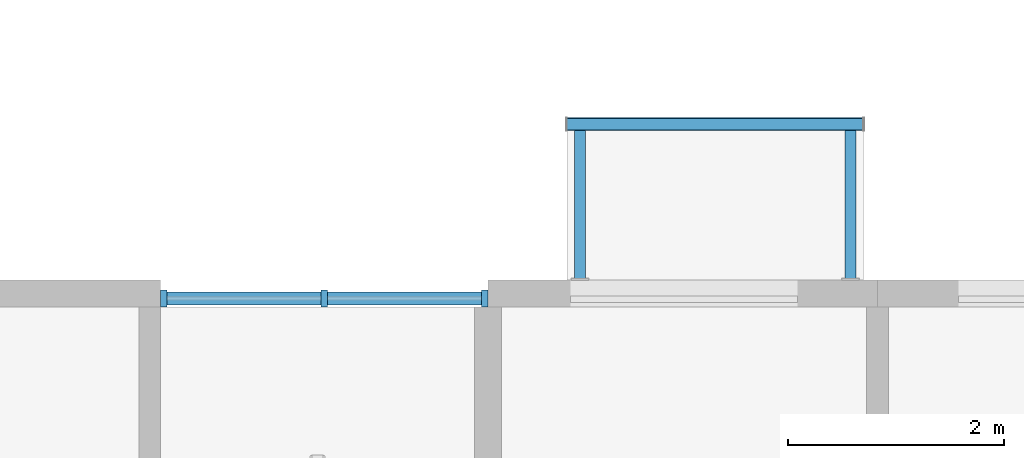
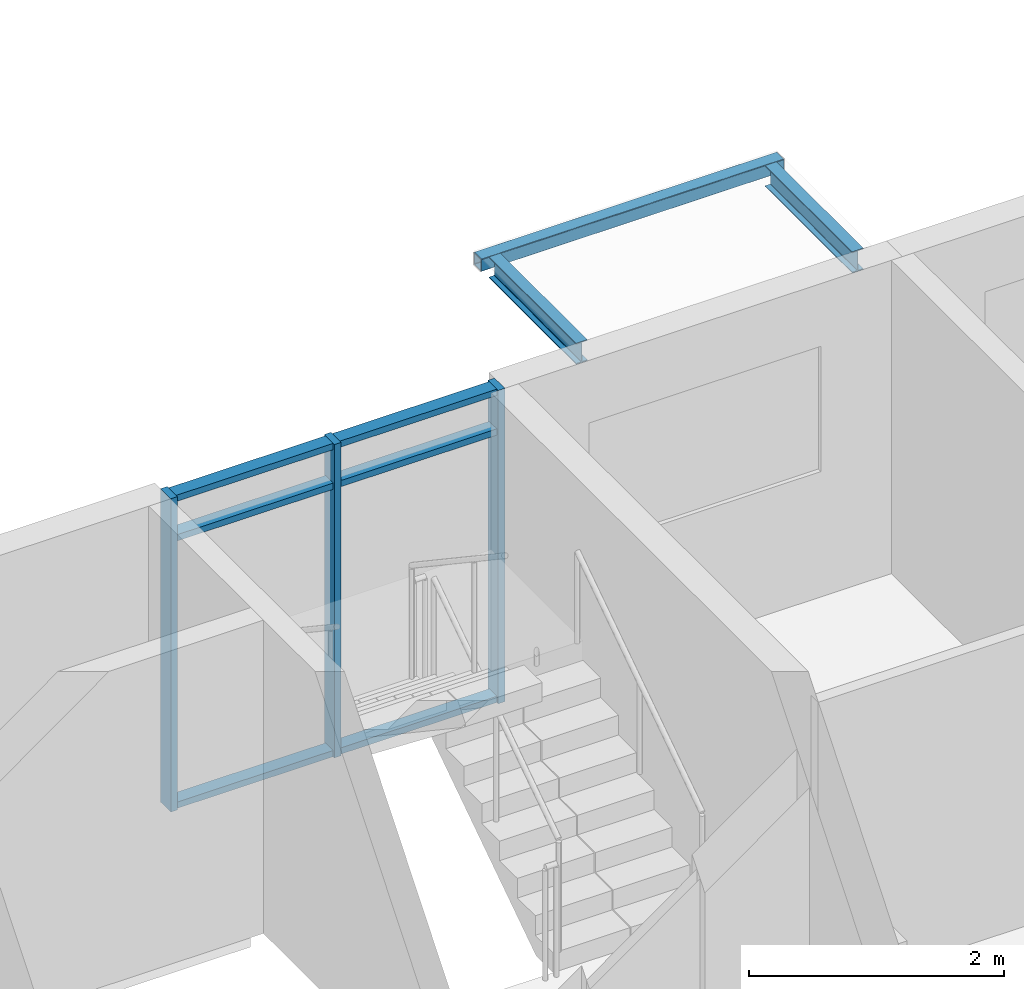
# One storey, part 12 of 94: 9 members, 3 beams, 1 element without a shape of its own.
"""IFC4 building model written with IfcOpenShell, lengths in metres."""

from ifc_helpers import new_model, si_unit, direction, frame, origin, origin_2d, place, context, subcontext, project, spatial, rectangle, hollow_rectangle, i_section, extrude, material, material_profile, profile_set, type_object, element, aggregate, save


model = new_model("IFC4")

# Units and contexts
model_context = context("Model", 3, precision=1e-05, world=origin(), true_north=direction((0.0, 1.0)))
body_context = subcontext(model_context, "Body", "Model", "MODEL_VIEW")
ifc_project = project(units=[si_unit("LENGTHUNIT", "METRE"), si_unit("AREAUNIT", "SQUARE_METRE"), si_unit("VOLUMEUNIT", "CUBIC_METRE"), si_unit("PLANEANGLEUNIT", "RADIAN"), si_unit("MASSUNIT", "GRAM", prefix="KILO")], contexts=[model_context])

# Site, building, storey
site_placement = place(None, origin())
site = spatial("IfcSite", under=ifc_project, at=site_placement, CompositionType="ELEMENT")
building_placement = place(site_placement, origin())
building = spatial("IfcBuilding", under=site, at=building_placement, Name="Ridgestep Commons", CompositionType="ELEMENT")
storey_placement = place(building_placement, frame((0.0, 0.0, 24.0)))
storey = spatial("IfcBuildingStorey", under=building, at=storey_placement, Name="L08", CompositionType="ELEMENT", Elevation=24.0)

# Curtain wall, members
ifc_material_1 = material(Name="Aluminium 6063-T6 and glass", Category="aluminium")
curtain_wall_type = type_object("IfcCurtainWallType", Name="Curtain wall stair strip", PredefinedType="NOTDEFINED", material=ifc_material_1)
curtain_wall_placement = place(storey_placement, origin())
curtain_wall = element("IfcCurtainWall", 1, at=curtain_wall_placement, inside=storey, type_object=curtain_wall_type, Name="Curtain wall B2C level 08", PredefinedType="NOTDEFINED")
ifc_material_2 = material(Name="Aluminium 6063-T6", Category="aluminium")
ifc_material_profile_1 = material_profile(ifc_material_2, rectangle(XDim=0.159912109375, YDim=0.06005859375, at=origin_2d()), Name="Mullion 60 x 160")
ifc_profile_set_1 = profile_set([ifc_material_profile_1], Name="Aluminium 6063-T6")
member_type_1 = type_object("IfcMemberType", Name="Mullion 60 x 160", PredefinedType="MULLION", material=ifc_profile_set_1)
member_1_placement = place(storey_placement, frame((31.804931640625, 77.080078125, 0.0), z_axis=(0.0, 0.0, 1.0), x_axis=(0.0, 1.0, 0.0)))
member_1 = element("IfcMember", 2, at=member_1_placement, type_object=member_type_1, Name="CW1 mullion 1", PredefinedType="MULLION", context=body_context, shape_type="SweptSolid", body=[
    extrude(rectangle(XDim=0.159912109375, YDim=0.06005859375, at=origin_2d()), origin(), (0.0, 0.0, 1.0), 3.0),
])
member_2_placement = place(storey_placement, frame((33.28759765625, 77.080078125, 0.0), z_axis=(0.0, 0.0, 1.0), x_axis=(0.0, 1.0, 0.0)))
member_2 = element("IfcMember", 3, at=member_2_placement, type_object=member_type_1, Name="CW1 mullion 2", PredefinedType="MULLION", context=body_context, shape_type="SweptSolid", body=[
    extrude(rectangle(XDim=0.159912109375, YDim=0.06005859375, at=origin_2d()), origin(), (0.0, 0.0, 1.0), 3.0),
])
member_3_placement = place(storey_placement, frame((34.77001953125, 77.080078125, 0.0), z_axis=(0.0, 0.0, 1.0), x_axis=(0.0, 1.0, 0.0)))
member_3 = element("IfcMember", 4, at=member_3_placement, type_object=member_type_1, Name="CW1 mullion 3", PredefinedType="MULLION", context=body_context, shape_type="SweptSolid", body=[
    extrude(rectangle(XDim=0.159912109375, YDim=0.06005859375, at=origin_2d()), origin(), (0.0, 0.0, 1.0), 3.0),
])
ifc_material_3 = material(Name="Aluminium 6063-T6", Category="aluminium")
ifc_material_profile_2 = material_profile(ifc_material_3, rectangle(XDim=0.1201171875, YDim=0.06005859375, at=origin_2d()), Name="Transom 60 x 120")
ifc_profile_set_2 = profile_set([ifc_material_profile_2], Name="Aluminium 6063-T6")
member_type_2 = type_object("IfcMemberType", Name="Transom 60 x 120", PredefinedType="USERDEFINED", material=ifc_profile_set_2)
member_4_placement = place(storey_placement, frame((31.8349609375, 77.080078125, 0.030029296875), z_axis=(1.0, 0.0, 0.0), x_axis=(0.0, 1.0, 0.0)))
member_4 = element("IfcMember", 5, at=member_4_placement, type_object=member_type_2, Name="CW1 transom 1.1", ObjectType="TRANSOM", PredefinedType="USERDEFINED", context=body_context, shape_type="SweptSolid", body=[
    extrude(rectangle(XDim=0.1201171875, YDim=0.06005859375, at=origin_2d()), origin(), (0.0, 0.0, 1.0), 1.422607421875),
])
member_5_placement = place(storey_placement, frame((31.8349609375, 77.080078125, 2.590087890625), z_axis=(1.0, 0.0, 0.0), x_axis=(0.0, 1.0, 0.0)))
member_5 = element("IfcMember", 6, at=member_5_placement, type_object=member_type_2, Name="CW1 transom 1.2", ObjectType="TRANSOM", PredefinedType="USERDEFINED", context=body_context, shape_type="SweptSolid", body=[
    extrude(rectangle(XDim=0.1201171875, YDim=0.06005859375, at=origin_2d()), origin(), (0.0, 0.0, 1.0), 1.422607421875),
])
member_6_placement = place(storey_placement, frame((31.8349609375, 77.080078125, 2.969970703125), z_axis=(1.0, 0.0, 0.0), x_axis=(0.0, 1.0, 0.0)))
member_6 = element("IfcMember", 7, at=member_6_placement, type_object=member_type_2, Name="CW1 transom 1.3", ObjectType="TRANSOM", PredefinedType="USERDEFINED", context=body_context, shape_type="SweptSolid", body=[
    extrude(rectangle(XDim=0.1201171875, YDim=0.06005859375, at=origin_2d()), origin(), (0.0, 0.0, 1.0), 1.422607421875),
])
member_7_placement = place(storey_placement, frame((33.3173828125, 77.080078125, 0.030029296875), z_axis=(1.0, 0.0, 0.0), x_axis=(0.0, 1.0, 0.0)))
member_7 = element("IfcMember", 8, at=member_7_placement, type_object=member_type_2, Name="CW1 transom 2.1", ObjectType="TRANSOM", PredefinedType="USERDEFINED", context=body_context, shape_type="SweptSolid", body=[
    extrude(rectangle(XDim=0.1201171875, YDim=0.06005859375, at=origin_2d()), origin(), (0.0, 0.0, 1.0), 1.422607421875),
])
member_8_placement = place(storey_placement, frame((33.3173828125, 77.080078125, 2.590087890625), z_axis=(1.0, 0.0, 0.0), x_axis=(0.0, 1.0, 0.0)))
member_8 = element("IfcMember", 9, at=member_8_placement, type_object=member_type_2, Name="CW1 transom 2.2", ObjectType="TRANSOM", PredefinedType="USERDEFINED", context=body_context, shape_type="SweptSolid", body=[
    extrude(rectangle(XDim=0.1201171875, YDim=0.06005859375, at=origin_2d()), origin(), (0.0, 0.0, 1.0), 1.422607421875),
])
member_9_placement = place(storey_placement, frame((33.3173828125, 77.080078125, 2.969970703125), z_axis=(1.0, 0.0, 0.0), x_axis=(0.0, 1.0, 0.0)))
member_9 = element("IfcMember", 10, at=member_9_placement, type_object=member_type_2, Name="CW1 transom 2.3", ObjectType="TRANSOM", PredefinedType="USERDEFINED", context=body_context, shape_type="SweptSolid", body=[
    extrude(rectangle(XDim=0.1201171875, YDim=0.06005859375, at=origin_2d()), origin(), (0.0, 0.0, 1.0), 1.422607421875),
])
aggregate(curtain_wall, [member_1, member_2, member_3, member_4, member_5, member_6, member_7, member_8, member_9])

# Beams
ifc_material_4 = material(Name="Weathering steel S355J2W", Category="steel")
ifc_material_profile_3 = material_profile(ifc_material_4, i_section(OverallWidth=0.101806640625, OverallDepth=0.203125, WebThickness=0.00537109375, FlangeThickness=0.00927734375, FilletRadius=0.007568359375, at=origin_2d()), Name="UB 203x102x23")
ifc_profile_set_3 = profile_set([ifc_material_profile_3], Name="Weathering steel S355J2W")
beam_type_1 = type_object("IfcBeamType", Name="Tray arm UB 203x102x23", PredefinedType="BEAM", material=ifc_profile_set_3)
for number, where, z_axis, x_axis, name in (
    (11, (35.64990234375, 77.264892578125, 2.888427734375), (0.0, 1.0, 0.0), (-1.0, 0.0, 0.0), "Tray arm B2T3-09.1"),
    (12, (38.14990234375, 77.264892578125, 2.888427734375), (0.0, 1.0, 0.0), (-1.0, 0.0, 0.0), "Tray arm B2T3-09.2"),
):
    element("IfcBeam", number, at=place(storey_placement, frame(where, z_axis=z_axis, x_axis=x_axis)), inside=storey, type_object=beam_type_1, Name=name, PredefinedType="BEAM", context=body_context, shape_type="SweptSolid", body=[
        extrude(i_section(OverallWidth=0.101806640625, OverallDepth=0.203125, WebThickness=0.00537109375, FlangeThickness=0.00927734375, FilletRadius=0.007568359375, at=origin_2d()), origin(), (0.0, 0.0, 1.0), 1.364990234375),
    ])
ifc_material_5 = material(Name="Weathering steel S355J2W", Category="steel")
ifc_material_profile_4 = material_profile(ifc_material_5, hollow_rectangle(XDim=0.1201171875, YDim=0.1201171875, WallThickness=0.00634765625, InnerFilletRadius=0.00634765625, OuterFilletRadius=0.009521484375, at=origin_2d()), Name="SHS 120x120x6.3")
ifc_profile_set_4 = profile_set([ifc_material_profile_4], Name="Weathering steel S355J2W")
beam_type_2 = type_object("IfcBeamType", Name="Tray edge member SHS 120x120x6.3", PredefinedType="BEAM", material=ifc_profile_set_4)
beam_placement = place(storey_placement, frame((35.530029296875, 78.68994140625, 2.929931640625), z_axis=(1.0, 0.0, 0.0), x_axis=(0.0, 0.0, 1.0)))
element("IfcBeam", 13, at=beam_placement, inside=storey, type_object=beam_type_2, Name="Tray edge member B2T3-09", PredefinedType="BEAM", context=body_context, shape_type="SweptSolid", body=[
    extrude(hollow_rectangle(XDim=0.1201171875, YDim=0.1201171875, WallThickness=0.00634765625, InnerFilletRadius=0.00634765625, OuterFilletRadius=0.009521484375, at=origin_2d()), origin(), (0.0, 0.0, 1.0), 2.739990234375),
])

save(model, "model.ifc")
